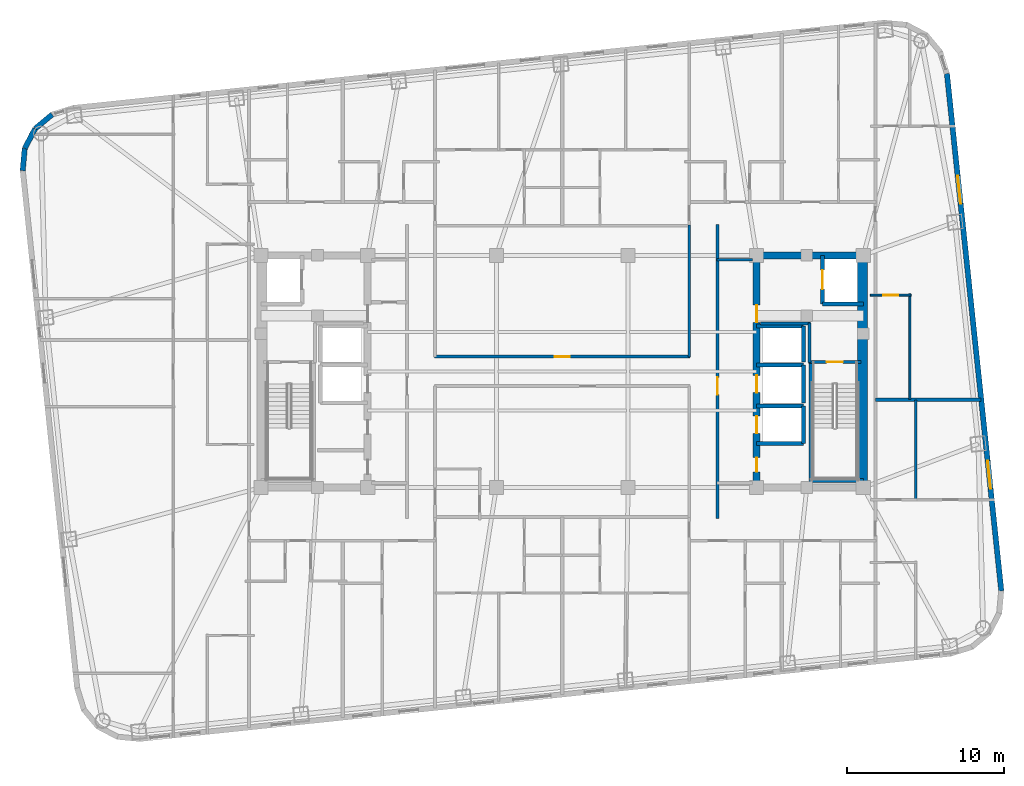
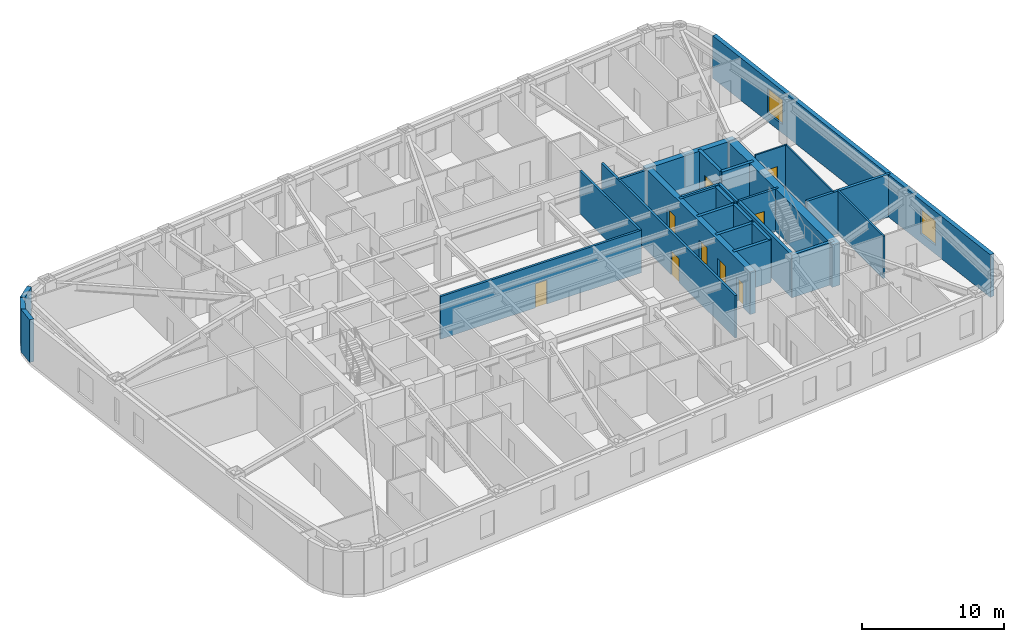
# One storey, part 6 of 11: 29 walls, 9 doors, 2 windows, 11 openings.
"""IFC4 building model written with IfcOpenShell, lengths in metres."""

from ifc_helpers import new_model, si_unit, direction, frame, frame_2d, origin, place, context, subcontext, project, spatial, rectangle, extrude, material, layer, layer_set, type_object, element, fill, save


model = new_model("IFC4")

# Units and contexts
model_context = context("Model", 3, precision=1e-05, world=origin(), true_north=direction((0.0, 1.0)))
body_context = subcontext(model_context, "Body", "Model", "MODEL_VIEW")
ifc_project = project(units=[si_unit("LENGTHUNIT", "METRE"), si_unit("AREAUNIT", "SQUARE_METRE"), si_unit("VOLUMEUNIT", "CUBIC_METRE"), si_unit("PLANEANGLEUNIT", "RADIAN"), si_unit("MASSUNIT", "GRAM", prefix="KILO")], contexts=[model_context])

# Site, building, storey
site_placement = place(None, origin())
site = spatial("IfcSite", under=ifc_project, at=site_placement, CompositionType="ELEMENT")
building_placement = place(site_placement, origin())
building = spatial("IfcBuilding", under=site, at=building_placement, Name="Voryun Gate Residences", CompositionType="ELEMENT")
storey_placement = place(building_placement, frame((0.0, 0.0, 175.5)))
storey = spatial("IfcBuildingStorey", under=building, at=storey_placement, Name="L43", CompositionType="ELEMENT", Elevation=175.5)

# Wall
ifc_material_1 = material(Name="Concrete C50/60", Category="concrete")
ifc_layer_1 = layer(ifc_material_1, 0.449951171875, Name="CW_CORE_450")
ifc_layer_set_1 = layer_set([ifc_layer_1], Name="Concrete C50/60")
wall_type_1 = type_object("IfcWallType", Name="CW_CORE_450", PredefinedType="SHEAR", material=ifc_layer_set_1)
wall_1_placement = place(storey_placement, frame((12.175048828125, 7.39990234375, 0.0), z_axis=(0.0, 0.0, 1.0), x_axis=(1.0, 0.0, 0.0)))
element("IfcWall", 1, at=wall_1_placement, inside=storey, type_object=wall_type_1, Name="L43 Core shear wall CW-L43-EN", PredefinedType="SHEAR", context=body_context, shape_type="SweptSolid", body=[
    extrude(rectangle(XDim=7.25, YDim=0.449951171875, at=frame_2d((3.625, 0.0))), origin(), (0.0, 0.0, 1.0), 3.64990234375),
])

# Wall, openings, doors
wall_2_placement = place(storey_placement, frame((12.39990234375, -7.39990234375, 0.0), z_axis=(0.0, 0.0, 1.0), x_axis=(0.0, 1.0, 0.0)))
wall_2 = element("IfcWall", 2, at=wall_2_placement, inside=storey, type_object=wall_type_1, Name="L43 Core shear wall CW-L43-EW", PredefinedType="SHEAR", context=body_context, shape_type="SweptSolid", body=[
    extrude(rectangle(XDim=14.7998046875, YDim=0.449951171875, at=frame_2d((7.39990234375, 0.0))), origin(), (0.0, 0.0, 1.0), 3.64990234375),
])
opening_1_placement = place(wall_2_placement, frame((3.449951171875, 0.0, 0.0)))
opening_1 = element("IfcOpeningElement", 3, at=opening_1_placement, cuts=wall_2, Name="Opening LD2", PredefinedType="OPENING", context=body_context, shape_type="SweptSolid", body=[
    extrude(rectangle(XDim=1.10009765625, YDim=2.050048828125, at=frame_2d((0.550048828125, 1.02490234375))), frame((0.0, 0.235107421875, 0.0), z_axis=(0.0, -1.0, 0.0), x_axis=(1.0, 0.0, 0.0)), (0.0, 0.0, 1.0), 0.469970703125),
])
opening_2_placement = place(wall_2_placement, frame((6.050048828125, 0.0, 0.0)))
opening_2 = element("IfcOpeningElement", 4, at=opening_2_placement, cuts=wall_2, Name="Opening LD2", PredefinedType="OPENING", context=body_context, shape_type="SweptSolid", body=[
    extrude(rectangle(XDim=1.10009765625, YDim=2.050048828125, at=frame_2d((0.550048828125, 1.02490234375))), frame((0.0, 0.235107421875, 0.0), z_axis=(0.0, -1.0, 0.0), x_axis=(1.0, 0.0, 0.0)), (0.0, 0.0, 1.0), 0.469970703125),
])
opening_3_placement = place(wall_2_placement, frame((10.530029296875, 0.0, 0.0)))
opening_3 = element("IfcOpeningElement", 5, at=opening_3_placement, cuts=wall_2, Name="Opening D-FD60-2", PredefinedType="OPENING", context=body_context, shape_type="SweptSolid", body=[
    extrude(rectangle(XDim=1.10009765625, YDim=2.050048828125, at=frame_2d((0.550048828125, 1.02490234375))), frame((0.0, 0.235107421875, 0.0), z_axis=(0.0, -1.0, 0.0), x_axis=(1.0, 0.0, 0.0)), (0.0, 0.0, 1.0), 0.469970703125),
])
opening_4_placement = place(wall_2_placement, frame((1.0, 0.0, 0.0)))
opening_4 = element("IfcOpeningElement", 6, at=opening_4_placement, cuts=wall_2, Name="Opening D-FD60-4", PredefinedType="OPENING", context=body_context, shape_type="SweptSolid", body=[
    extrude(rectangle(XDim=0.89990234375, YDim=2.050048828125, at=frame_2d((0.449951171875, 1.02490234375))), frame((0.0, 0.235107421875, 0.0), z_axis=(0.0, -1.0, 0.0), x_axis=(1.0, 0.0, 0.0)), (0.0, 0.0, 1.0), 0.469970703125),
])
ifc_material_2 = material(Name="Painted steel fire door", Category="steel")
door_type_1 = type_object("IfcDoorType", Name="DR_FD60_FFLOB_1100", OperationType="NOTDEFINED", PredefinedType="DOOR", material=ifc_material_2)
door_1_placement = place(opening_3_placement, origin())
door_1 = element("IfcDoor", 7, at=door_1_placement, inside=storey, type_object=door_type_1, Name="Door DR-L43-CLOB-E", OperationType="SINGLE_SWING_RIGHT", OverallHeight=2.050048828125, OverallWidth=1.10009765625, PredefinedType="DOOR", context=body_context, shape_type="SweptSolid", body=[
    extrude(rectangle(XDim=1.10009765625, YDim=2.050048828125, at=frame_2d((0.550048828125, 1.02490234375))), frame((0.0, 0.02490234375, 0.0), z_axis=(0.0, -1.0, 0.0), x_axis=(1.0, 0.0, 0.0)), (0.0, 0.0, 1.0), 0.050048828125),
])
fill(opening_3, door_1)
ifc_material_3 = material(Name="Painted steel fire door", Category="steel")
door_type_2 = type_object("IfcDoorType", Name="DR_FD60_RISER_900", OperationType="NOTDEFINED", PredefinedType="DOOR", material=ifc_material_3)
door_2_placement = place(opening_4_placement, origin())
door_2 = element("IfcDoor", 8, at=door_2_placement, inside=storey, type_object=door_type_2, Name="Door DR-L43-RECE1", OperationType="SINGLE_SWING_RIGHT", OverallHeight=2.050048828125, OverallWidth=0.89990234375, PredefinedType="DOOR", context=body_context, shape_type="SweptSolid", body=[
    extrude(rectangle(XDim=0.89990234375, YDim=2.050048828125, at=frame_2d((0.449951171875, 1.02490234375))), frame((0.0, 0.02490234375, 0.0), z_axis=(0.0, -1.0, 0.0), x_axis=(1.0, 0.0, 0.0)), (0.0, 0.0, 1.0), 0.050048828125),
])
fill(opening_4, door_2)
ifc_material_4 = material(Name="Anodised aluminium", Category="aluminium")
door_type_3 = type_object("IfcDoorType", Name="DR_LD_PASS_1100", OperationType="NOTDEFINED", PredefinedType="DOOR", material=ifc_material_4)
door_3_placement = place(opening_1_placement, origin())
door_3 = element("IfcDoor", 9, at=door_3_placement, inside=storey, type_object=door_type_3, Name="Lift EL-P5 sliding landing door L43", OperationType="SLIDING_TO_LEFT", OverallHeight=2.050048828125, OverallWidth=1.10009765625, PredefinedType="DOOR", context=body_context, shape_type="SweptSolid", body=[
    extrude(rectangle(XDim=1.10009765625, YDim=2.050048828125, at=frame_2d((0.550048828125, 1.02490234375))), frame((0.0, 0.02490234375, 0.0), z_axis=(0.0, -1.0, 0.0), x_axis=(1.0, 0.0, 0.0)), (0.0, 0.0, 1.0), 0.050048828125),
])
fill(opening_1, door_3)
door_4_placement = place(opening_2_placement, origin())
door_4 = element("IfcDoor", 10, at=door_4_placement, inside=storey, type_object=door_type_3, Name="Lift EL-P6 sliding landing door L43", OperationType="SLIDING_TO_LEFT", OverallHeight=2.050048828125, OverallWidth=1.10009765625, PredefinedType="DOOR", context=body_context, shape_type="SweptSolid", body=[
    extrude(rectangle(XDim=1.10009765625, YDim=2.050048828125, at=frame_2d((0.550048828125, 1.02490234375))), frame((0.0, 0.02490234375, 0.0), z_axis=(0.0, -1.0, 0.0), x_axis=(1.0, 0.0, 0.0)), (0.0, 0.0, 1.0), 0.050048828125),
])
fill(opening_2, door_4)

# Wall
ifc_material_5 = material(Name="Concrete C60/75", Category="concrete")
ifc_layer_2 = layer(ifc_material_5, 0.64990234375, Name="CW_CORE_650")
ifc_layer_set_2 = layer_set([ifc_layer_2], Name="Concrete C60/75")
wall_type_2 = type_object("IfcWallType", Name="CW_CORE_650", PredefinedType="SHEAR", material=ifc_layer_set_2)
wall_3_placement = place(storey_placement, frame((19.14501953125, -7.39990234375, 0.0), z_axis=(0.0, 0.0, 1.0), x_axis=(0.0, 1.0, 0.0)))
element("IfcWall", 11, at=wall_3_placement, inside=storey, type_object=wall_type_2, Name="L43 Core shear wall CW-L43-EE", PredefinedType="SHEAR", context=body_context, shape_type="SweptSolid", body=[
    extrude(rectangle(XDim=14.7998046875, YDim=0.64990234375, at=frame_2d((7.39990234375, 0.0))), origin(), (0.0, 0.0, 1.0), 3.64990234375),
])

# Wall, opening, door
ifc_material_6 = material(Name="Gypsum acoustic fireboard")
ifc_layer_3 = layer(ifc_material_6, 0.179931640625, Name="W_CORR_RATED_180")
ifc_layer_set_3 = layer_set([ifc_layer_3], Name="Gypsum acoustic fireboard")
wall_type_3 = type_object("IfcWallType", Name="W_CORR_RATED_180", PredefinedType="PARTITIONING", material=ifc_layer_set_3)
wall_4_placement = place(storey_placement, frame((15.699951171875, 0.60009765625, 0.0), z_axis=(0.0, 0.0, 1.0), x_axis=(1.0, 0.0, 0.0)))
wall_4 = element("IfcWall", 12, at=wall_4_placement, inside=storey, type_object=wall_type_3, Name="Partition wall WP-L43-STV-E", PredefinedType="PARTITIONING", context=body_context, shape_type="SweptSolid", body=[
    extrude(rectangle(XDim=3.360107421875, YDim=0.179931640625, at=frame_2d((1.68017578125, 0.0))), origin(), (0.0, 0.0, 1.0), 3.64990234375),
])
opening_5_placement = place(wall_4_placement, frame((1.155029296875, 0.0, 0.0)))
opening_5 = element("IfcOpeningElement", 13, at=opening_5_placement, cuts=wall_4, Name="Opening D-FD60-1", PredefinedType="OPENING", context=body_context, shape_type="SweptSolid", body=[
    extrude(rectangle(XDim=1.050048828125, YDim=2.050048828125, at=frame_2d((0.52490234375, 1.02490234375))), frame((0.0, 0.099853515625, 0.0), z_axis=(0.0, -1.0, 0.0), x_axis=(1.0, 0.0, 0.0)), (0.0, 0.0, 1.0), 0.199951171875),
])
ifc_material_7 = material(Name="Painted steel fire door", Category="steel")
door_type_4 = type_object("IfcDoorType", Name="DR_FD60_STAIR_1050", OperationType="NOTDEFINED", PredefinedType="DOOR", material=ifc_material_7)
door_5_placement = place(opening_5_placement, origin())
door_5 = element("IfcDoor", 14, at=door_5_placement, inside=storey, type_object=door_type_4, Name="Door DR-L43-ST-E", OperationType="SINGLE_SWING_RIGHT", OverallHeight=2.050048828125, OverallWidth=1.050048828125, PredefinedType="DOOR", context=body_context, shape_type="SweptSolid", body=[
    extrude(rectangle(XDim=1.050048828125, YDim=2.050048828125, at=frame_2d((0.52490234375, 1.02490234375))), frame((0.0, 0.02490234375, 0.0), z_axis=(0.0, -1.0, 0.0), x_axis=(1.0, 0.0, 0.0)), (0.0, 0.0, 1.0), 0.050048828125),
])
fill(opening_5, door_5)

# Wall
wall_5_placement = place(storey_placement, frame((9.8798828125, 7.1201171875, 0.0), z_axis=(0.0, 0.0, 1.0), x_axis=(1.0, 0.0, 0.0)))
element("IfcWall", 15, at=wall_5_placement, inside=storey, type_object=wall_type_3, Name="Partition wall WP-L43-PLBN-E", PredefinedType="PARTITIONING", context=body_context, shape_type="SweptSolid", body=[
    extrude(rectangle(XDim=2.27001953125, YDim=0.179931640625, at=frame_2d((1.135009765625, 0.0))), origin(), (0.0, 0.0, 1.0), 3.64990234375),
])

# Wall, opening, door
wall_6_placement = place(storey_placement, frame((9.89990234375, -9.3798828125, 0.0), z_axis=(0.0, 0.0, 1.0), x_axis=(0.0, 1.0, 0.0)))
wall_6 = element("IfcWall", 16, at=wall_6_placement, inside=storey, type_object=wall_type_3, Name="Partition wall WP-L43-PLBE-FULL", PredefinedType="PARTITIONING", context=body_context, shape_type="SweptSolid", body=[
    extrude(rectangle(XDim=18.759765625, YDim=0.179931640625, at=frame_2d((9.3798828125, 0.0))), origin(), (0.0, 0.0, 1.0), 3.64990234375),
])
opening_6_placement = place(wall_6_placement, frame((7.89208984375, 0.0, 0.0)))
opening_6 = element("IfcOpeningElement", 17, at=opening_6_placement, cuts=wall_6, Name="Opening D-FD60-2", PredefinedType="OPENING", context=body_context, shape_type="SweptSolid", body=[
    extrude(rectangle(XDim=1.10009765625, YDim=2.050048828125, at=frame_2d((0.550048828125, 1.02490234375))), frame((0.0, 0.099853515625, 0.0), z_axis=(0.0, -1.0, 0.0), x_axis=(1.0, 0.0, 0.0)), (0.0, 0.0, 1.0), 0.199951171875),
])
door_6_placement = place(opening_6_placement, origin())
door_6 = element("IfcDoor", 18, at=door_6_placement, inside=storey, type_object=door_type_1, Name="Door DR-L43-PLBE-COR", OperationType="SINGLE_SWING_RIGHT", OverallHeight=2.050048828125, OverallWidth=1.10009765625, PredefinedType="DOOR", context=body_context, shape_type="SweptSolid", body=[
    extrude(rectangle(XDim=1.10009765625, YDim=2.050048828125, at=frame_2d((0.550048828125, 1.02490234375))), frame((0.0, 0.02490234375, 0.0), z_axis=(0.0, -1.0, 0.0), x_axis=(1.0, 0.0, 0.0)), (0.0, 0.0, 1.0), 0.050048828125),
])
fill(opening_6, door_6)

wall_7_placement = place(storey_placement, frame((-8.14990234375, 0.93994140625, 0.0), z_axis=(0.0, 0.0, 1.0), x_axis=(1.0, 0.0, 0.0)))
wall_7 = element("IfcWall", 19, at=wall_7_placement, inside=storey, type_object=wall_type_3, Name="Partition wall WP-L43-Z2HN", PredefinedType="PARTITIONING", context=body_context, shape_type="SweptSolid", body=[
    extrude(rectangle(XDim=16.2998046875, YDim=0.179931640625, at=frame_2d((8.14990234375, 0.0))), origin(), (0.0, 0.0, 1.0), 3.64990234375),
])
opening_7_placement = place(wall_7_placement, frame((7.675048828125, 0.0, 0.0)))
opening_7 = element("IfcOpeningElement", 20, at=opening_7_placement, cuts=wall_7, Name="Opening D-INT-1", PredefinedType="OPENING", context=body_context, shape_type="SweptSolid", body=[
    extrude(rectangle(XDim=0.949951171875, YDim=2.050048828125, at=frame_2d((0.47509765625, 1.02490234375))), frame((0.0, 0.099853515625, 0.0), z_axis=(0.0, -1.0, 0.0), x_axis=(1.0, 0.0, 0.0)), (0.0, 0.0, 1.0), 0.199951171875),
])
ifc_material_8 = material(Name="Architectural oak veneer")
door_type_5 = type_object("IfcDoorType", Name="DR_INT_ROOM_950", OperationType="NOTDEFINED", PredefinedType="DOOR", material=ifc_material_8)
door_7_placement = place(opening_7_placement, origin())
door_7 = element("IfcDoor", 21, at=door_7_placement, inside=storey, type_object=door_type_5, Name="Door DR-L43-Z2NH", OperationType="SINGLE_SWING_LEFT", OverallHeight=2.050048828125, OverallWidth=0.949951171875, PredefinedType="DOOR", context=body_context, shape_type="SweptSolid", body=[
    extrude(rectangle(XDim=0.949951171875, YDim=2.050048828125, at=frame_2d((0.47509765625, 1.02490234375))), frame((0.0, 0.02490234375, 0.0), z_axis=(0.0, -1.0, 0.0), x_axis=(1.0, 0.0, 0.0)), (0.0, 0.0, 1.0), 0.050048828125),
])
fill(opening_7, door_7)

# Walls
wall_8_placement = place(storey_placement, frame((8.10009765625, 0.919921875, 0.0), z_axis=(0.0, 0.0, 1.0), x_axis=(0.0, 1.0, 0.0)))
element("IfcWall", 22, at=wall_8_placement, inside=storey, type_object=wall_type_3, Name="Partition wall WP-L43-Z2ER1", PredefinedType="PARTITIONING", context=body_context, shape_type="SweptSolid", body=[
    extrude(rectangle(XDim=8.41015625, YDim=0.179931640625, at=frame_2d((4.205078125, 0.0))), origin(), (0.0, 0.0, 1.0), 3.64990234375),
])
ifc_material_9 = material(Name="Charcoal terracotta masonry", Category="masonry")
ifc_layer_4 = layer(ifc_material_9, 0.340087890625, Name="W_EXT_TERRACOTTA_340")
ifc_layer_set_4 = layer_set([ifc_layer_4], Name="Charcoal terracotta masonry")
wall_type_4 = type_object("IfcWallType", Name="W_EXT_TERRACOTTA_340", PredefinedType="ELEMENTEDWALL", material=ifc_layer_set_4)
wall_9_placement = place(storey_placement, frame((-34.401123046875, 12.795166015625, 0.0), z_axis=(0.0, 0.0, 1.0), x_axis=(0.091534682358, 0.995801888894, 0.0)))
element("IfcWall", 23, at=wall_9_placement, inside=storey, type_object=wall_type_4, Name="Exterior wall WEXT-L43-07", PredefinedType="ELEMENTEDWALL", context=body_context, shape_type="SweptSolid", body=[
    extrude(rectangle(XDim=1.432373046875, YDim=0.340087890625, at=frame_2d((0.71630859375, 0.0))), origin(), (0.0, 0.0, 1.0), 3.64990234375),
])
for number, where, z_axis, x_axis, name in (
    (24, (-34.27001953125, 14.221435546875, 0.0), (0.0, 0.0, 1.0), (0.465682431293, 0.884951904447, 0.0), "Exterior wall WEXT-L43-08"),
    (25, (-33.611083984375, 15.4736328125, 0.0), (0.0, 0.0, 1.0), (0.768843196093, 0.639437361921, 0.0), "Exterior wall WEXT-L43-09"),
):
    element("IfcWall", number, at=place(storey_placement, frame(where, z_axis=z_axis, x_axis=x_axis)), inside=storey, type_object=wall_type_4, Name=name, PredefinedType="ELEMENTEDWALL", context=body_context, shape_type="SweptSolid", body=[
        extrude(rectangle(XDim=1.4150390625, YDim=0.340087890625, at=frame_2d((0.70751953125, 0.0))), origin(), (0.0, 0.0, 1.0), 3.64990234375),
    ])

# Wall, openings, windows
wall_10_placement = place(storey_placement, frame((24.5341796875, 18.989501953125, 0.0), z_axis=(0.0, 0.0, 1.0), x_axis=(0.104534959766, -0.994521212537, 0.0)))
wall_10 = element("IfcWall", 26, at=wall_10_placement, inside=storey, type_object=wall_type_4, Name="Exterior wall WEXT-L43-16", PredefinedType="ELEMENTEDWALL", context=body_context, shape_type="SweptSolid", body=[
    extrude(rectangle(XDim=33.166259765625, YDim=0.340087890625, at=frame_2d((16.5830078125, 0.0))), origin(), (0.0, 0.0, 1.0), 3.64990234375),
])
opening_8_placement = place(wall_10_placement, frame((6.54150390625, 0.0, 0.75)))
opening_8 = element("IfcOpeningElement", 27, at=opening_8_placement, cuts=wall_10, Name="Opening WN1", PredefinedType="OPENING", context=body_context, shape_type="SweptSolid", body=[
    extrude(rectangle(XDim=1.800048828125, YDim=2.10009765625, at=frame_2d((0.89990234375, 1.050048828125))), frame((0.0, 0.179931640625, 0.0), z_axis=(0.0, -1.0, 0.0), x_axis=(1.0, 0.0, 0.0)), (0.0, 0.0, 1.0), 0.360107421875),
])
opening_9_placement = place(wall_10_placement, frame((24.824951171875, 0.0, 0.75)))
opening_9 = element("IfcOpeningElement", 28, at=opening_9_placement, cuts=wall_10, Name="Opening WN1", PredefinedType="OPENING", context=body_context, shape_type="SweptSolid", body=[
    extrude(rectangle(XDim=1.800048828125, YDim=2.10009765625, at=frame_2d((0.89990234375, 1.050048828125))), frame((0.0, 0.179931640625, 0.0), z_axis=(0.0, -1.0, 0.0), x_axis=(1.0, 0.0, 0.0)), (0.0, 0.0, 1.0), 0.360107421875),
])
ifc_material_10 = material(Name="Laminated low-E glass", Category="glass")
window_type = type_object("IfcWindowType", Name="WN_RES_PUNCH_1800", PartitioningType="SINGLE_PANEL", PredefinedType="WINDOW", material=ifc_material_10)
window_1_placement = place(opening_8_placement, origin())
window_1 = element("IfcWindow", 29, at=window_1_placement, inside=storey, type_object=window_type, Name="Window WN-WEXT-L43-16-01", OverallHeight=2.10009765625, OverallWidth=1.800048828125, PartitioningType="SINGLE_PANEL", PredefinedType="WINDOW", context=body_context, shape_type="SweptSolid", body=[
    extrude(rectangle(XDim=1.800048828125, YDim=2.10009765625, at=frame_2d((0.89990234375, 1.050048828125))), frame((0.0, 0.030029296875, 0.0), z_axis=(0.0, -1.0, 0.0), x_axis=(1.0, 0.0, 0.0)), (0.0, 0.0, 1.0), 0.06005859375),
])
fill(opening_8, window_1)
window_2_placement = place(opening_9_placement, origin())
window_2 = element("IfcWindow", 30, at=window_2_placement, inside=storey, type_object=window_type, Name="Window WN-WEXT-L43-16-02", OverallHeight=2.10009765625, OverallWidth=1.800048828125, PartitioningType="SINGLE_PANEL", PredefinedType="WINDOW", context=body_context, shape_type="SweptSolid", body=[
    extrude(rectangle(XDim=1.800048828125, YDim=2.10009765625, at=frame_2d((0.89990234375, 1.050048828125))), frame((0.0, 0.030029296875, 0.0), z_axis=(0.0, -1.0, 0.0), x_axis=(1.0, 0.0, 0.0)), (0.0, 0.0, 1.0), 0.06005859375),
])
fill(opening_9, window_2)

# Walls
ifc_material_11 = material(Name="Concrete C40/50", Category="concrete")
ifc_layer_5 = layer(ifc_material_11, 0.199951171875, Name="W_FF_LOBBY_200")
ifc_layer_set_5 = layer_set([ifc_layer_5], Name="Concrete C40/50")
wall_type_5 = type_object("IfcWallType", Name="W_FF_LOBBY_200", PredefinedType="PARTITIONING", material=ifc_layer_set_5)
wall_11_placement = place(storey_placement, frame((15.760009765625, 0.580078125, 0.0), z_axis=(0.0, 0.0, 1.0), x_axis=(0.0, 1.0, 0.0)))
element("IfcWall", 31, at=wall_11_placement, inside=storey, type_object=wall_type_5, Name="Partition wall WP-L43-FFP0-E", PredefinedType="PARTITIONING", context=body_context, shape_type="SweptSolid", body=[
    extrude(rectangle(XDim=2.52001953125, YDim=0.199951171875, at=frame_2d((1.260009765625, 0.0))), origin(), (0.0, 0.0, 1.0), 3.64990234375),
])
wall_12_placement = place(storey_placement, frame((12.659912109375, 3.06005859375, 0.0), z_axis=(0.0, 0.0, 1.0), x_axis=(1.0, 0.0, 0.0)))
element("IfcWall", 32, at=wall_12_placement, inside=storey, type_object=wall_type_5, Name="Partition wall WP-L43-FFPS-E", PredefinedType="PARTITIONING", context=body_context, shape_type="SweptSolid", body=[
    extrude(rectangle(XDim=3.16015625, YDim=0.199951171875, at=frame_2d((1.580078125, 0.0))), origin(), (0.0, 0.0, 1.0), 3.64990234375),
])
ifc_material_12 = material(Name="Concrete C40/50", Category="concrete")
ifc_layer_6 = layer(ifc_material_12, 0.219970703125, Name="W_PARTY_ACOUSTIC_220")
ifc_layer_set_6 = layer_set([ifc_layer_6], Name="Concrete C40/50")
wall_type_6 = type_object("IfcWallType", Name="W_PARTY_ACOUSTIC_220", PredefinedType="PARTITIONING", material=ifc_layer_set_6)
wall_13_placement = place(storey_placement, frame((19.969970703125, -1.800048828125, 0.0), z_axis=(0.0, 0.0, 1.0), x_axis=(1.0, 0.0, 0.0)))
element("IfcWall", 33, at=wall_13_placement, inside=storey, type_object=wall_type_6, Name="Partition wall WP-L43-EPTY", PredefinedType="PARTITIONING", context=body_context, shape_type="SweptSolid", body=[
    extrude(rectangle(XDim=6.749267578125, YDim=0.219970703125, at=frame_2d((3.37451171875, 0.0))), origin(), (0.0, 0.0, 1.0), 3.64990234375),
])
ifc_material_13 = material(Name="Concrete C50/60", Category="concrete")
ifc_layer_7 = layer(ifc_material_13, 0.25, Name="W_SHAFT_RC250")
ifc_layer_set_7 = layer_set([ifc_layer_7], Name="Concrete C50/60")
wall_type_7 = type_object("IfcWallType", Name="W_SHAFT_RC250", PredefinedType="SOLIDWALL", material=ifc_layer_set_7)
wall_14_placement = place(storey_placement, frame((15.860107421875, -7.0849609375, 0.0), z_axis=(0.0, 0.0, 1.0), x_axis=(0.0, 1.0, 0.0)))
element("IfcWall", 34, at=wall_14_placement, inside=storey, type_object=wall_type_7, Name="L43 Stair shaft structural wall E-STL", PredefinedType="SOLIDWALL", context=body_context, shape_type="SweptSolid", body=[
    extrude(rectangle(XDim=7.68505859375, YDim=0.25, at=frame_2d((3.842529296875, 0.0))), origin(), (0.0, 0.0, 1.0), 3.64990234375),
])
wall_15_placement = place(storey_placement, frame((15.739990234375, -6.965087890625, 0.0), z_axis=(0.0, 0.0, 1.0), x_axis=(1.0, 0.0, 0.0)))
element("IfcWall", 35, at=wall_15_placement, inside=storey, type_object=wall_type_7, Name="L43 Stair shaft structural wall E-STS", PredefinedType="SOLIDWALL", context=body_context, shape_type="SweptSolid", body=[
    extrude(rectangle(XDim=3.4599609375, YDim=0.25, at=frame_2d((1.72998046875, 0.0))), origin(), (0.0, 0.0, 1.0), 3.64990234375),
])
wall_16_placement = place(storey_placement, frame((16.60009765625, 4.300048828125, 0.0), z_axis=(0.0, 0.0, 1.0), x_axis=(1.0, 0.0, 0.0)))
element("IfcWall", 36, at=wall_16_placement, inside=storey, type_object=wall_type_7, Name="Lift shaft wall WSH-L43-EL-FF-E1-S", PredefinedType="SOLIDWALL", context=body_context, shape_type="SweptSolid", body=[
    extrude(rectangle(XDim=2.599853515625, YDim=0.25, at=frame_2d((1.2998046875, 0.0))), origin(), (0.0, 0.0, 1.0), 3.64990234375),
])

# Wall, opening, door
wall_17_placement = place(storey_placement, frame((16.60009765625, 7.39990234375, 0.0), z_axis=(0.0, 0.0, 1.0), x_axis=(0.0, -1.0, 0.0)))
wall_17 = element("IfcWall", 37, at=wall_17_placement, inside=storey, type_object=wall_type_7, Name="Lift shaft wall WSH-L43-EL-FF-E1-W", PredefinedType="SOLIDWALL", context=body_context, shape_type="SweptSolid", body=[
    extrude(rectangle(XDim=3.099853515625, YDim=0.25, at=frame_2d((1.5498046875, 0.0))), origin(), (0.0, 0.0, 1.0), 3.64990234375),
])
opening_10_placement = place(wall_17_placement, frame((0.949951171875, 0.0, 0.0)))
opening_10 = element("IfcOpeningElement", 38, at=opening_10_placement, cuts=wall_17, Name="Opening LD1", PredefinedType="OPENING", context=body_context, shape_type="SweptSolid", body=[
    extrude(rectangle(XDim=1.199951171875, YDim=2.050048828125, at=frame_2d((0.60009765625, 1.02490234375))), frame((0.0, 0.135009765625, 0.0), z_axis=(0.0, -1.0, 0.0), x_axis=(1.0, 0.0, 0.0)), (0.0, 0.0, 1.0), 0.27001953125),
])
ifc_material_14 = material(Name="Anodised aluminium", Category="aluminium")
door_type_6 = type_object("IfcDoorType", Name="DR_LD_FF_1200", OperationType="NOTDEFINED", PredefinedType="DOOR", material=ifc_material_14)
door_8_placement = place(opening_10_placement, origin())
door_8 = element("IfcDoor", 39, at=door_8_placement, inside=storey, type_object=door_type_6, Name="Lift EL-FF-E1 sliding landing door L43", OperationType="SLIDING_TO_LEFT", OverallHeight=2.050048828125, OverallWidth=1.199951171875, PredefinedType="DOOR", context=body_context, shape_type="SweptSolid", body=[
    extrude(rectangle(XDim=1.199951171875, YDim=2.050048828125, at=frame_2d((0.60009765625, 1.02490234375))), frame((0.0, 0.02490234375, 0.0), z_axis=(0.0, -1.0, 0.0), x_axis=(1.0, 0.0, 0.0)), (0.0, 0.0, 1.0), 0.050048828125),
])
fill(opening_10, door_8)

# Walls
wall_18_placement = place(storey_placement, frame((12.39990234375, -4.60009765625, 0.0), z_axis=(0.0, 0.0, 1.0), x_axis=(1.0, 0.0, 0.0)))
element("IfcWall", 40, at=wall_18_placement, inside=storey, type_object=wall_type_7, Name="Lift shaft wall WSH-L43-EL-P5-S", PredefinedType="SOLIDWALL", context=body_context, shape_type="SweptSolid", body=[
    extrude(rectangle(XDim=3.0, YDim=0.25, at=frame_2d((1.5, 0.0))), origin(), (0.0, 0.0, 1.0), 3.64990234375),
])
wall_19_placement = place(storey_placement, frame((15.39990234375, -4.60009765625, 0.0), z_axis=(0.0, 0.0, 1.0), x_axis=(0.0, 1.0, 0.0)))
element("IfcWall", 41, at=wall_19_placement, inside=storey, type_object=wall_type_7, Name="Lift shaft wall WSH-L43-EL-P5-E", PredefinedType="SOLIDWALL", context=body_context, shape_type="SweptSolid", body=[
    extrude(rectangle(XDim=2.400146484375, YDim=0.25, at=frame_2d((1.2001953125, 0.0))), origin(), (0.0, 0.0, 1.0), 3.64990234375),
])
wall_20_placement = place(storey_placement, frame((15.39990234375, -2.199951171875, 0.0), z_axis=(0.0, 0.0, 1.0), x_axis=(-1.0, 0.0, 0.0)))
element("IfcWall", 42, at=wall_20_placement, inside=storey, type_object=wall_type_7, Name="Lift shaft wall WSH-L43-EL-P5-N", PredefinedType="SOLIDWALL", context=body_context, shape_type="SweptSolid", body=[
    extrude(rectangle(XDim=3.0, YDim=0.25, at=frame_2d((1.5, 0.0))), origin(), (0.0, 0.0, 1.0), 3.64990234375),
])
wall_21_placement = place(storey_placement, frame((15.39990234375, -2.0, 0.0), z_axis=(0.0, 0.0, 1.0), x_axis=(0.0, 1.0, 0.0)))
element("IfcWall", 43, at=wall_21_placement, inside=storey, type_object=wall_type_7, Name="Lift shaft wall WSH-L43-EL-P6-E", PredefinedType="SOLIDWALL", context=body_context, shape_type="SweptSolid", body=[
    extrude(rectangle(XDim=2.39990234375, YDim=0.25, at=frame_2d((1.199951171875, 0.0))), origin(), (0.0, 0.0, 1.0), 3.64990234375),
])
wall_22_placement = place(storey_placement, frame((15.39990234375, 0.39990234375, 0.0), z_axis=(0.0, 0.0, 1.0), x_axis=(-1.0, 0.0, 0.0)))
element("IfcWall", 44, at=wall_22_placement, inside=storey, type_object=wall_type_7, Name="Lift shaft wall WSH-L43-EL-P6-N", PredefinedType="SOLIDWALL", context=body_context, shape_type="SweptSolid", body=[
    extrude(rectangle(XDim=3.0, YDim=0.25, at=frame_2d((1.5, 0.0))), origin(), (0.0, 0.0, 1.0), 3.64990234375),
])
wall_23_placement = place(storey_placement, frame((15.39990234375, 0.60009765625, 0.0), z_axis=(0.0, 0.0, 1.0), x_axis=(0.0, 1.0, 0.0)))
element("IfcWall", 45, at=wall_23_placement, inside=storey, type_object=wall_type_7, Name="Lift shaft wall WSH-L43-EL-P8-E", PredefinedType="SOLIDWALL", context=body_context, shape_type="SweptSolid", body=[
    extrude(rectangle(XDim=2.2998046875, YDim=0.25, at=frame_2d((1.14990234375, 0.0))), origin(), (0.0, 0.0, 1.0), 3.64990234375),
])
wall_24_placement = place(storey_placement, frame((15.39990234375, 2.89990234375, 0.0), z_axis=(0.0, 0.0, 1.0), x_axis=(-1.0, 0.0, 0.0)))
element("IfcWall", 46, at=wall_24_placement, inside=storey, type_object=wall_type_7, Name="Lift shaft wall WSH-L43-EL-P8-N", PredefinedType="SOLIDWALL", context=body_context, shape_type="SweptSolid", body=[
    extrude(rectangle(XDim=3.0, YDim=0.25, at=frame_2d((1.5, 0.0))), origin(), (0.0, 0.0, 1.0), 3.64990234375),
])

# Wall, opening, door
ifc_material_15 = material(Name="Gypsum acoustic partition")
ifc_layer_8 = layer(ifc_material_15, 0.125, Name="W_UNIT_PART_125")
ifc_layer_set_8 = layer_set([ifc_layer_8], Name="Gypsum acoustic partition")
wall_type_8 = type_object("IfcWallType", Name="W_UNIT_PART_125", PredefinedType="PARTITIONING", material=ifc_layer_set_8)
wall_25_placement = place(storey_placement, frame((19.64990234375, 4.860107421875, 0.0), z_axis=(0.0, 0.0, 1.0), x_axis=(1.0, 0.0, 0.0)))
wall_25 = element("IfcWall", 47, at=wall_25_placement, inside=storey, type_object=wall_type_8, Name="Partition wall WP-L43-E2-IKA", PredefinedType="PARTITIONING", context=body_context, shape_type="SweptSolid", body=[
    extrude(rectangle(XDim=2.60009765625, YDim=0.125, at=frame_2d((1.300048828125, 0.0))), origin(), (0.0, 0.0, 1.0), 3.64990234375),
])
opening_11_placement = place(wall_25_placement, frame((0.824951171875, 0.0, 0.0)))
opening_11 = element("IfcOpeningElement", 48, at=opening_11_placement, cuts=wall_25, Name="Opening D-INT-1", PredefinedType="OPENING", context=body_context, shape_type="SweptSolid", body=[
    extrude(rectangle(XDim=0.949951171875, YDim=2.050048828125, at=frame_2d((0.47509765625, 1.02490234375))), frame((0.0, 0.072509765625, 0.0), z_axis=(0.0, -1.0, 0.0), x_axis=(1.0, 0.0, 0.0)), (0.0, 0.0, 1.0), 0.14501953125),
])
door_9_placement = place(opening_11_placement, origin())
door_9 = element("IfcDoor", 49, at=door_9_placement, inside=storey, type_object=door_type_5, Name="Door DR-L43-E2-DK", OperationType="SINGLE_SWING_LEFT", OverallHeight=2.050048828125, OverallWidth=0.949951171875, PredefinedType="DOOR", context=body_context, shape_type="SweptSolid", body=[
    extrude(rectangle(XDim=0.949951171875, YDim=2.050048828125, at=frame_2d((0.47509765625, 1.02490234375))), frame((0.0, 0.02490234375, 0.0), z_axis=(0.0, -1.0, 0.0), x_axis=(1.0, 0.0, 0.0)), (0.0, 0.0, 1.0), 0.050048828125),
])
fill(opening_11, door_9)

# Walls
wall_26_placement = place(storey_placement, frame((22.169921875, -1.780029296875, 0.0), z_axis=(0.0, 0.0, 1.0), x_axis=(0.0, 1.0, 0.0)))
element("IfcWall", 50, at=wall_26_placement, inside=storey, type_object=wall_type_8, Name="Partition wall WP-L43-E2-VTA", PredefinedType="PARTITIONING", context=body_context, shape_type="SweptSolid", body=[
    extrude(rectangle(XDim=6.719970703125, YDim=0.125, at=frame_2d((3.35986328125, 0.0))), origin(), (0.0, 0.0, 1.0), 3.64990234375),
])
ifc_material_16 = material(Name="Gypsum moisture-resistant partition")
ifc_layer_9 = layer(ifc_material_16, 0.14990234375, Name="W_WET_PLUMB_150")
ifc_layer_set_9 = layer_set([ifc_layer_9], Name="Gypsum moisture-resistant partition")
wall_type_9 = type_object("IfcWallType", Name="W_WET_PLUMB_150", PredefinedType="PLUMBINGWALL", material=ifc_layer_set_9)
wall_27_placement = place(storey_placement, frame((22.5419921875, -8.26806640625, 0.0), z_axis=(0.0, 0.0, 1.0), x_axis=(0.0, 1.0, 0.0)))
element("IfcWall", 51, at=wall_27_placement, inside=storey, type_object=wall_type_9, Name="Partition wall WP-L43-E1-VTB", PredefinedType="PLUMBINGWALL", context=body_context, shape_type="SweptSolid", body=[
    extrude(rectangle(XDim=6.447998046875, YDim=0.14990234375, at=frame_2d((3.22412109375, 0.0))), origin(), (0.0, 0.0, 1.0), 3.64990234375),
])

save(model, "model.ifc")
